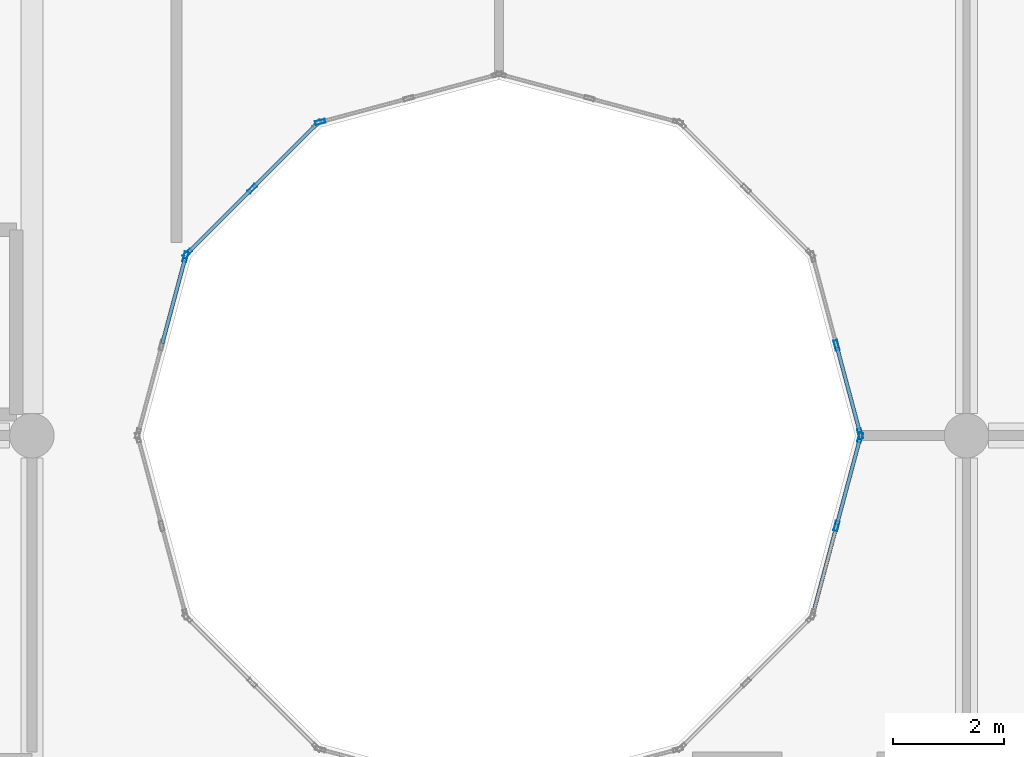
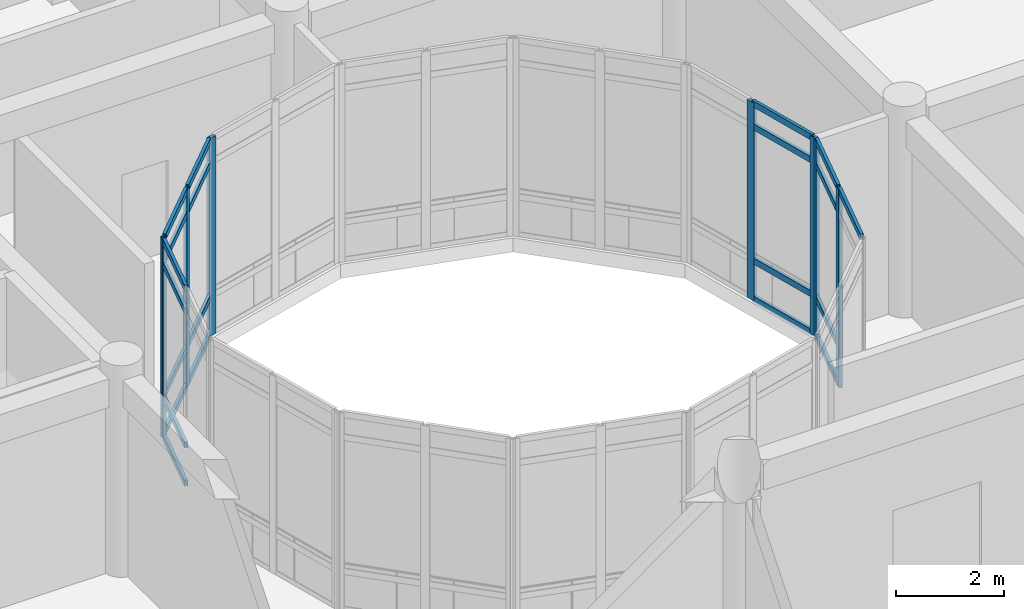
# One storey, part 43 of 138: 29 members, 5 elements without a shape of their own.
"""IFC4 building model written with IfcOpenShell, lengths in metres."""

from ifc_helpers import new_model, si_unit, direction, frame, origin, origin_2d, place, context, subcontext, project, spatial, hollow_rectangle, extrude, material, layer, layer_set, material_profile, profile_set, type_object, element, aggregate, save


model = new_model("IFC4")

# Units and contexts
model_context = context("Model", 3, precision=1e-05, world=origin(), true_north=direction((0.0, 1.0)))
body_context = subcontext(model_context, "Body", "Model", "MODEL_VIEW")
ifc_project = project(units=[si_unit("LENGTHUNIT", "METRE"), si_unit("AREAUNIT", "SQUARE_METRE"), si_unit("VOLUMEUNIT", "CUBIC_METRE"), si_unit("PLANEANGLEUNIT", "RADIAN"), si_unit("MASSUNIT", "GRAM", prefix="KILO")], contexts=[model_context])

# Site, building, storey
site_placement = place(None, origin())
site = spatial("IfcSite", under=ifc_project, at=site_placement, CompositionType="ELEMENT")
building_placement = place(site_placement, origin())
building = spatial("IfcBuilding", under=site, at=building_placement, Name="Bramfleet General Hospital", CompositionType="ELEMENT")
storey_placement = place(building_placement, origin())
storey = spatial("IfcBuildingStorey", under=building, at=storey_placement, Name="L00", CompositionType="ELEMENT", Elevation=0.0)

# Curtain wall, members
ifc_material_1 = material(Name="Anodised aluminium and low-E triple glazing", Category="aluminium")
ifc_layer_1 = layer(ifc_material_1, 0.179931640625, Name="CWT-CW-18")
ifc_layer_set_1 = layer_set([ifc_layer_1], Name="Anodised aluminium and low-E triple glazing")
curtain_wall_type_1 = type_object("IfcCurtainWallType", Name="CWT-CW-18", PredefinedType="USERDEFINED", material=ifc_layer_set_1)
curtain_wall_1_placement = place(storey_placement, origin())
curtain_wall_1 = element("IfcCurtainWall", 1, at=curtain_wall_1_placement, inside=storey, type_object=curtain_wall_type_1, Name="L00 East Laboratory Light Court Curtain Wall 6.1", ObjectType="Stick curtain wall", PredefinedType="USERDEFINED")
ifc_material_2 = material(Name="Anodised aluminium EN AW-6060", Category="aluminium")
ifc_material_profile_1 = material_profile(ifc_material_2, hollow_rectangle(XDim=0.070068359375, YDim=0.179931640625, WallThickness=0.00390625, at=origin_2d()), Name="ALU 180x70x4.0")
ifc_profile_set_1 = profile_set([ifc_material_profile_1], Name="Anodised aluminium EN AW-6060")
member_type_1 = type_object("IfcMemberType", Name="CWM-ALU180", PredefinedType="MULLION", material=ifc_profile_set_1)
member_1_placement = place(storey_placement, frame((123.66455078125, 65.574951171875, 0.0), z_axis=(0.0, 0.0, 1.0), x_axis=(-0.965913556273, 0.258864833085, 0.0)))
member_1 = element("IfcMember", 2, at=member_1_placement, type_object=member_type_1, Name="CW-18 mullion 2", PredefinedType="MULLION", context=body_context, shape_type="SweptSolid", body=[
    extrude(hollow_rectangle(XDim=0.070068359375, YDim=0.179931640625, WallThickness=0.00390625, at=origin_2d()), origin(), (0.0, 0.0, 1.0), 4.489990234375),
])
member_2_placement = place(storey_placement, frame((124.0908203125, 67.166259765625, 0.0), z_axis=(0.0, 0.0, 1.0), x_axis=(-0.965913556273, 0.258864833085, 0.0)))
member_2 = element("IfcMember", 3, at=member_2_placement, type_object=member_type_1, Name="CW-18 mullion 3", PredefinedType="MULLION", context=body_context, shape_type="SweptSolid", body=[
    extrude(hollow_rectangle(XDim=0.070068359375, YDim=0.179931640625, WallThickness=0.00390625, at=origin_2d()), origin(), (0.0, 0.0, 1.0), 4.489990234375),
])

ifc_layer_2 = layer(ifc_material_1, 0.179931640625, Name="CWT-CW-11")
ifc_layer_set_2 = layer_set([ifc_layer_2], Name="Anodised aluminium and low-E triple glazing")
curtain_wall_type_2 = type_object("IfcCurtainWallType", Name="CWT-CW-11", PredefinedType="USERDEFINED", material=ifc_layer_set_2)
curtain_wall_2_placement = place(storey_placement, origin())
curtain_wall_2 = element("IfcCurtainWall", 4, at=curtain_wall_2_placement, inside=storey, type_object=curtain_wall_type_2, Name="L00 East Laboratory Light Court Curtain Wall 7.1", ObjectType="Stick curtain wall", PredefinedType="USERDEFINED")
member_3_placement = place(storey_placement, frame((124.0908203125, 67.23388671875, 0.0), z_axis=(0.0, 0.0, 1.0), x_axis=(-0.965913556273, -0.258864833085, 0.0)))
member_3 = element("IfcMember", 5, at=member_3_placement, type_object=member_type_1, Name="CW-11 mullion 1", PredefinedType="MULLION", context=body_context, shape_type="SweptSolid", body=[
    extrude(hollow_rectangle(XDim=0.070068359375, YDim=0.179931640625, WallThickness=0.00390625, at=origin_2d()), origin(), (0.0, 0.0, 1.0), 4.489990234375),
])
member_4_placement = place(storey_placement, frame((123.66455078125, 68.824951171875, 0.0), z_axis=(0.0, 0.0, 1.0), x_axis=(-0.965913556273, -0.258864833085, 0.0)))
member_4 = element("IfcMember", 6, at=member_4_placement, type_object=member_type_1, Name="CW-11 mullion 2", PredefinedType="MULLION", context=body_context, shape_type="SweptSolid", body=[
    extrude(hollow_rectangle(XDim=0.070068359375, YDim=0.179931640625, WallThickness=0.00390625, at=origin_2d()), origin(), (0.0, 0.0, 1.0), 4.489990234375),
])

# Curtain wall, member
ifc_layer_3 = layer(ifc_material_1, 0.179931640625, Name="CWT-CW-14")
ifc_layer_set_3 = layer_set([ifc_layer_3], Name="Anodised aluminium and low-E triple glazing")
curtain_wall_type_3 = type_object("IfcCurtainWallType", Name="CWT-CW-14", PredefinedType="USERDEFINED", material=ifc_layer_set_3)
curtain_wall_3_placement = place(storey_placement, origin())
curtain_wall_3 = element("IfcCurtainWall", 7, at=curtain_wall_3_placement, inside=storey, type_object=curtain_wall_type_3, Name="L00 East Laboratory Light Court Curtain Wall 10.1", ObjectType="Stick curtain wall", PredefinedType="USERDEFINED")
member_5_placement = place(storey_placement, frame((114.3837890625, 72.838134765625, 0.0), z_axis=(0.0, 0.0, 1.0), x_axis=(0.258864833085, -0.965913556273, 0.0)))
member_5 = element("IfcMember", 8, at=member_5_placement, type_object=member_type_1, Name="CW-14 mullion 3", PredefinedType="MULLION", context=body_context, shape_type="SweptSolid", body=[
    extrude(hollow_rectangle(XDim=0.070068359375, YDim=0.179931640625, WallThickness=0.00390625, at=origin_2d()), origin(), (0.0, 0.0, 1.0), 4.489990234375),
])
aggregate(curtain_wall_3, [member_5])

# Curtain wall, members
ifc_layer_4 = layer(ifc_material_1, 0.179931640625, Name="CWT-CW-15")
ifc_layer_set_4 = layer_set([ifc_layer_4], Name="Anodised aluminium and low-E triple glazing")
curtain_wall_type_4 = type_object("IfcCurtainWallType", Name="CWT-CW-15", PredefinedType="USERDEFINED", material=ifc_layer_set_4)
curtain_wall_4_placement = place(storey_placement, origin())
curtain_wall_4 = element("IfcCurtainWall", 9, at=curtain_wall_4_placement, inside=storey, type_object=curtain_wall_type_4, Name="L00 East Laboratory Light Court Curtain Wall 11.1", ObjectType="Stick curtain wall", PredefinedType="USERDEFINED")
member_6_placement = place(storey_placement, frame((113.160400390625, 71.639404296875, 0.0), z_axis=(0.0, 0.0, 1.0), x_axis=(0.707106781187, -0.707106781187, 0.0)))
member_6 = element("IfcMember", 10, at=member_6_placement, type_object=member_type_1, Name="CW-15 mullion 2", PredefinedType="MULLION", context=body_context, shape_type="SweptSolid", body=[
    extrude(hollow_rectangle(XDim=0.070068359375, YDim=0.179931640625, WallThickness=0.00390625, at=origin_2d()), origin(), (0.0, 0.0, 1.0), 4.489990234375),
])
member_7_placement = place(storey_placement, frame((111.995849609375, 70.474853515625, 0.0), z_axis=(0.0, 0.0, 1.0), x_axis=(0.707106781187, -0.707106781187, 0.0)))
member_7 = element("IfcMember", 11, at=member_7_placement, type_object=member_type_1, Name="CW-15 mullion 3", PredefinedType="MULLION", context=body_context, shape_type="SweptSolid", body=[
    extrude(hollow_rectangle(XDim=0.070068359375, YDim=0.179931640625, WallThickness=0.00390625, at=origin_2d()), origin(), (0.0, 0.0, 1.0), 4.489990234375),
])

# Curtain wall, member
ifc_layer_5 = layer(ifc_material_1, 0.179931640625, Name="CWT-CW-16")
ifc_layer_set_5 = layer_set([ifc_layer_5], Name="Anodised aluminium and low-E triple glazing")
curtain_wall_type_5 = type_object("IfcCurtainWallType", Name="CWT-CW-16", PredefinedType="USERDEFINED", material=ifc_layer_set_5)
curtain_wall_5_placement = place(storey_placement, origin())
curtain_wall_5 = element("IfcCurtainWall", 12, at=curtain_wall_5_placement, inside=storey, type_object=curtain_wall_type_5, Name="L00 East Laboratory Light Court Curtain Wall 12.1", ObjectType="Stick curtain wall", PredefinedType="USERDEFINED")
member_8_placement = place(storey_placement, frame((111.9619140625, 70.416259765625, 0.0), z_axis=(0.0, 0.0, 1.0), x_axis=(0.965913556273, -0.258864833085, 0.0)))
member_8 = element("IfcMember", 13, at=member_8_placement, type_object=member_type_1, Name="CW-16 mullion 1", PredefinedType="MULLION", context=body_context, shape_type="SweptSolid", body=[
    extrude(hollow_rectangle(XDim=0.070068359375, YDim=0.179931640625, WallThickness=0.00390625, at=origin_2d()), origin(), (0.0, 0.0, 1.0), 4.489990234375),
])

# Member
ifc_material_profile_2 = material_profile(ifc_material_2, hollow_rectangle(XDim=0.06494140625, YDim=0.139892578125, WallThickness=0.00390625, at=origin_2d()), Name="ALU 140x65x4.0")
ifc_profile_set_2 = profile_set([ifc_material_profile_2], Name="Anodised aluminium EN AW-6060")
member_type_2 = type_object("IfcMemberType", Name="CWT-ALU140", PredefinedType="USERDEFINED", material=ifc_profile_set_2)
member_9_placement = place(storey_placement, frame((123.2470703125, 64.017578125, 4.45751953125), z_axis=(0.258924323505, 0.965897610877, 0.0), x_axis=(-0.965897610877, 0.258924323505, 0.0)))
member_9 = element("IfcMember", 14, at=member_9_placement, type_object=member_type_2, Name="CW-18 transom 1.4", ObjectType="TRANSOM", PredefinedType="USERDEFINED", context=body_context, shape_type="SweptSolid", body=[
    extrude(hollow_rectangle(XDim=0.06494140625, YDim=0.139892578125, WallThickness=0.00390625, at=origin_2d()), origin(), (0.0, 0.0, 1.0), 1.577392578125),
])

member_10_placement = place(storey_placement, frame((123.673583984375, 65.60888671875, 0.032470703125), z_axis=(0.258818617489, 0.965925940868, 0.0), x_axis=(-0.965925940868, 0.258818617489, 0.0)))
member_10 = element("IfcMember", 15, at=member_10_placement, type_object=member_type_2, Name="CW-18 transom 2.1", ObjectType="TRANSOM", PredefinedType="USERDEFINED", context=body_context, shape_type="SweptSolid", body=[
    extrude(hollow_rectangle(XDim=0.06494140625, YDim=0.139892578125, WallThickness=0.00390625, at=origin_2d()), origin(), (0.0, 0.0, 1.0), 1.5771484375),
])

member_11_placement = place(storey_placement, frame((123.673583984375, 65.60888671875, 0.89990234375), z_axis=(0.258818617489, 0.965925940868, 0.0), x_axis=(-0.965925940868, 0.258818617489, 0.0)))
member_11 = element("IfcMember", 16, at=member_11_placement, type_object=member_type_2, Name="CW-18 transom 2.2", ObjectType="TRANSOM", PredefinedType="USERDEFINED", context=body_context, shape_type="SweptSolid", body=[
    extrude(hollow_rectangle(XDim=0.06494140625, YDim=0.139892578125, WallThickness=0.00390625, at=origin_2d()), origin(), (0.0, 0.0, 1.0), 1.5771484375),
])

member_12_placement = place(storey_placement, frame((123.673583984375, 65.60888671875, 3.93994140625), z_axis=(0.258818617489, 0.965925940868, 0.0), x_axis=(-0.965925940868, 0.258818617489, 0.0)))
member_12 = element("IfcMember", 17, at=member_12_placement, type_object=member_type_2, Name="CW-18 transom 2.3", ObjectType="TRANSOM", PredefinedType="USERDEFINED", context=body_context, shape_type="SweptSolid", body=[
    extrude(hollow_rectangle(XDim=0.06494140625, YDim=0.139892578125, WallThickness=0.00390625, at=origin_2d()), origin(), (0.0, 0.0, 1.0), 1.5771484375),
])

member_13_placement = place(storey_placement, frame((123.673583984375, 65.60888671875, 4.45751953125), z_axis=(0.258818617489, 0.965925940868, 0.0), x_axis=(-0.965925940868, 0.258818617489, 0.0)))
member_13 = element("IfcMember", 18, at=member_13_placement, type_object=member_type_2, Name="CW-18 transom 2.4", ObjectType="TRANSOM", PredefinedType="USERDEFINED", context=body_context, shape_type="SweptSolid", body=[
    extrude(hollow_rectangle(XDim=0.06494140625, YDim=0.139892578125, WallThickness=0.00390625, at=origin_2d()), origin(), (0.0, 0.0, 1.0), 1.5771484375),
])

aggregate(curtain_wall_1, [member_1, member_2, member_9, member_10, member_11, member_12, member_13])

member_14_placement = place(storey_placement, frame((124.081787109375, 67.267578125, 0.032470703125), z_axis=(-0.25877992417, 0.965936307862, 0.0), x_axis=(-0.965936307862, -0.25877992417, 0.0)))
member_14 = element("IfcMember", 19, at=member_14_placement, type_object=member_type_2, Name="CW-11 transom 1.1", ObjectType="TRANSOM", PredefinedType="USERDEFINED", context=body_context, shape_type="SweptSolid", body=[
    extrude(hollow_rectangle(XDim=0.06494140625, YDim=0.139892578125, WallThickness=0.00390625, at=origin_2d()), origin(), (0.0, 0.0, 1.0), 1.577392578125),
])

member_15_placement = place(storey_placement, frame((124.081787109375, 67.267578125, 0.89990234375), z_axis=(-0.25877992417, 0.965936307862, 0.0), x_axis=(-0.965936307862, -0.25877992417, 0.0)))
member_15 = element("IfcMember", 20, at=member_15_placement, type_object=member_type_2, Name="CW-11 transom 1.2", ObjectType="TRANSOM", PredefinedType="USERDEFINED", context=body_context, shape_type="SweptSolid", body=[
    extrude(hollow_rectangle(XDim=0.06494140625, YDim=0.139892578125, WallThickness=0.00390625, at=origin_2d()), origin(), (0.0, 0.0, 1.0), 1.577392578125),
])

member_16_placement = place(storey_placement, frame((124.081787109375, 67.267578125, 3.93994140625), z_axis=(-0.25877992417, 0.965936307862, 0.0), x_axis=(-0.965936307862, -0.25877992417, 0.0)))
member_16 = element("IfcMember", 21, at=member_16_placement, type_object=member_type_2, Name="CW-11 transom 1.3", ObjectType="TRANSOM", PredefinedType="USERDEFINED", context=body_context, shape_type="SweptSolid", body=[
    extrude(hollow_rectangle(XDim=0.06494140625, YDim=0.139892578125, WallThickness=0.00390625, at=origin_2d()), origin(), (0.0, 0.0, 1.0), 1.577392578125),
])

member_17_placement = place(storey_placement, frame((124.081787109375, 67.267578125, 4.45751953125), z_axis=(-0.25877992417, 0.965936307862, 0.0), x_axis=(-0.965936307862, -0.25877992417, 0.0)))
member_17 = element("IfcMember", 22, at=member_17_placement, type_object=member_type_2, Name="CW-11 transom 1.4", ObjectType="TRANSOM", PredefinedType="USERDEFINED", context=body_context, shape_type="SweptSolid", body=[
    extrude(hollow_rectangle(XDim=0.06494140625, YDim=0.139892578125, WallThickness=0.00390625, at=origin_2d()), origin(), (0.0, 0.0, 1.0), 1.577392578125),
])

aggregate(curtain_wall_2, [member_3, member_4, member_14, member_15, member_16, member_17])

member_18_placement = place(storey_placement, frame((114.300537109375, 72.779541015625, 0.032470703125), z_axis=(-0.707106781187, -0.707106781187, 0.0), x_axis=(0.707106781187, -0.707106781187, 0.0)))
member_18 = element("IfcMember", 23, at=member_18_placement, type_object=member_type_2, Name="CW-15 transom 1.1", ObjectType="TRANSOM", PredefinedType="USERDEFINED", context=body_context, shape_type="SweptSolid", body=[
    extrude(hollow_rectangle(XDim=0.06494140625, YDim=0.139892578125, WallThickness=0.00390625, at=origin_2d()), origin(), (0.0, 0.0, 1.0), 1.5771484375),
])

member_19_placement = place(storey_placement, frame((114.300537109375, 72.779541015625, 0.89990234375), z_axis=(-0.707106781187, -0.707106781187, 0.0), x_axis=(0.707106781187, -0.707106781187, 0.0)))
member_19 = element("IfcMember", 24, at=member_19_placement, type_object=member_type_2, Name="CW-15 transom 1.2", ObjectType="TRANSOM", PredefinedType="USERDEFINED", context=body_context, shape_type="SweptSolid", body=[
    extrude(hollow_rectangle(XDim=0.06494140625, YDim=0.139892578125, WallThickness=0.00390625, at=origin_2d()), origin(), (0.0, 0.0, 1.0), 1.5771484375),
])

member_20_placement = place(storey_placement, frame((114.300537109375, 72.779541015625, 3.93994140625), z_axis=(-0.707106781187, -0.707106781187, 0.0), x_axis=(0.707106781187, -0.707106781187, 0.0)))
member_20 = element("IfcMember", 25, at=member_20_placement, type_object=member_type_2, Name="CW-15 transom 1.3", ObjectType="TRANSOM", PredefinedType="USERDEFINED", context=body_context, shape_type="SweptSolid", body=[
    extrude(hollow_rectangle(XDim=0.06494140625, YDim=0.139892578125, WallThickness=0.00390625, at=origin_2d()), origin(), (0.0, 0.0, 1.0), 1.5771484375),
])

member_21_placement = place(storey_placement, frame((114.300537109375, 72.779541015625, 4.45751953125), z_axis=(-0.707106781187, -0.707106781187, 0.0), x_axis=(0.707106781187, -0.707106781187, 0.0)))
member_21 = element("IfcMember", 26, at=member_21_placement, type_object=member_type_2, Name="CW-15 transom 1.4", ObjectType="TRANSOM", PredefinedType="USERDEFINED", context=body_context, shape_type="SweptSolid", body=[
    extrude(hollow_rectangle(XDim=0.06494140625, YDim=0.139892578125, WallThickness=0.00390625, at=origin_2d()), origin(), (0.0, 0.0, 1.0), 1.5771484375),
])

member_22_placement = place(storey_placement, frame((113.1357421875, 71.61474609375, 0.032470703125), z_axis=(-0.707106781187, -0.707106781187, 0.0), x_axis=(0.707106781187, -0.707106781187, 0.0)))
member_22 = element("IfcMember", 27, at=member_22_placement, type_object=member_type_2, Name="CW-15 transom 2.1", ObjectType="TRANSOM", PredefinedType="USERDEFINED", context=body_context, shape_type="SweptSolid", body=[
    extrude(hollow_rectangle(XDim=0.06494140625, YDim=0.139892578125, WallThickness=0.00390625, at=origin_2d()), origin(), (0.0, 0.0, 1.0), 1.5771484375),
])

member_23_placement = place(storey_placement, frame((113.1357421875, 71.61474609375, 0.89990234375), z_axis=(-0.707106781187, -0.707106781187, 0.0), x_axis=(0.707106781187, -0.707106781187, 0.0)))
member_23 = element("IfcMember", 28, at=member_23_placement, type_object=member_type_2, Name="CW-15 transom 2.2", ObjectType="TRANSOM", PredefinedType="USERDEFINED", context=body_context, shape_type="SweptSolid", body=[
    extrude(hollow_rectangle(XDim=0.06494140625, YDim=0.139892578125, WallThickness=0.00390625, at=origin_2d()), origin(), (0.0, 0.0, 1.0), 1.5771484375),
])

member_24_placement = place(storey_placement, frame((113.1357421875, 71.61474609375, 3.93994140625), z_axis=(-0.707106781187, -0.707106781187, 0.0), x_axis=(0.707106781187, -0.707106781187, 0.0)))
member_24 = element("IfcMember", 29, at=member_24_placement, type_object=member_type_2, Name="CW-15 transom 2.3", ObjectType="TRANSOM", PredefinedType="USERDEFINED", context=body_context, shape_type="SweptSolid", body=[
    extrude(hollow_rectangle(XDim=0.06494140625, YDim=0.139892578125, WallThickness=0.00390625, at=origin_2d()), origin(), (0.0, 0.0, 1.0), 1.5771484375),
])

member_25_placement = place(storey_placement, frame((113.1357421875, 71.61474609375, 4.45751953125), z_axis=(-0.707106781187, -0.707106781187, 0.0), x_axis=(0.707106781187, -0.707106781187, 0.0)))
member_25 = element("IfcMember", 30, at=member_25_placement, type_object=member_type_2, Name="CW-15 transom 2.4", ObjectType="TRANSOM", PredefinedType="USERDEFINED", context=body_context, shape_type="SweptSolid", body=[
    extrude(hollow_rectangle(XDim=0.06494140625, YDim=0.139892578125, WallThickness=0.00390625, at=origin_2d()), origin(), (0.0, 0.0, 1.0), 1.5771484375),
])

aggregate(curtain_wall_4, [member_6, member_7, member_18, member_19, member_20, member_21, member_22, member_23, member_24, member_25])

member_26_placement = place(storey_placement, frame((111.952880859375, 70.38232421875, 0.032470703125), z_axis=(-0.258818617489, -0.965925940868, 0.0), x_axis=(0.965925940868, -0.258818617489, 0.0)))
member_26 = element("IfcMember", 31, at=member_26_placement, type_object=member_type_2, Name="CW-16 transom 1.1", ObjectType="TRANSOM", PredefinedType="USERDEFINED", context=body_context, shape_type="SweptSolid", body=[
    extrude(hollow_rectangle(XDim=0.06494140625, YDim=0.139892578125, WallThickness=0.00390625, at=origin_2d()), origin(), (0.0, 0.0, 1.0), 1.5771484375),
])

member_27_placement = place(storey_placement, frame((111.952880859375, 70.38232421875, 0.89990234375), z_axis=(-0.258818617489, -0.965925940868, 0.0), x_axis=(0.965925940868, -0.258818617489, 0.0)))
member_27 = element("IfcMember", 32, at=member_27_placement, type_object=member_type_2, Name="CW-16 transom 1.2", ObjectType="TRANSOM", PredefinedType="USERDEFINED", context=body_context, shape_type="SweptSolid", body=[
    extrude(hollow_rectangle(XDim=0.06494140625, YDim=0.139892578125, WallThickness=0.00390625, at=origin_2d()), origin(), (0.0, 0.0, 1.0), 1.5771484375),
])

member_28_placement = place(storey_placement, frame((111.952880859375, 70.38232421875, 3.93994140625), z_axis=(-0.258818617489, -0.965925940868, 0.0), x_axis=(0.965925940868, -0.258818617489, 0.0)))
member_28 = element("IfcMember", 33, at=member_28_placement, type_object=member_type_2, Name="CW-16 transom 1.3", ObjectType="TRANSOM", PredefinedType="USERDEFINED", context=body_context, shape_type="SweptSolid", body=[
    extrude(hollow_rectangle(XDim=0.06494140625, YDim=0.139892578125, WallThickness=0.00390625, at=origin_2d()), origin(), (0.0, 0.0, 1.0), 1.5771484375),
])

member_29_placement = place(storey_placement, frame((111.952880859375, 70.38232421875, 4.45751953125), z_axis=(-0.258818617489, -0.965925940868, 0.0), x_axis=(0.965925940868, -0.258818617489, 0.0)))
member_29 = element("IfcMember", 34, at=member_29_placement, type_object=member_type_2, Name="CW-16 transom 1.4", ObjectType="TRANSOM", PredefinedType="USERDEFINED", context=body_context, shape_type="SweptSolid", body=[
    extrude(hollow_rectangle(XDim=0.06494140625, YDim=0.139892578125, WallThickness=0.00390625, at=origin_2d()), origin(), (0.0, 0.0, 1.0), 1.5771484375),
])

aggregate(curtain_wall_5, [member_8, member_26, member_27, member_28, member_29])

save(model, "model.ifc")
